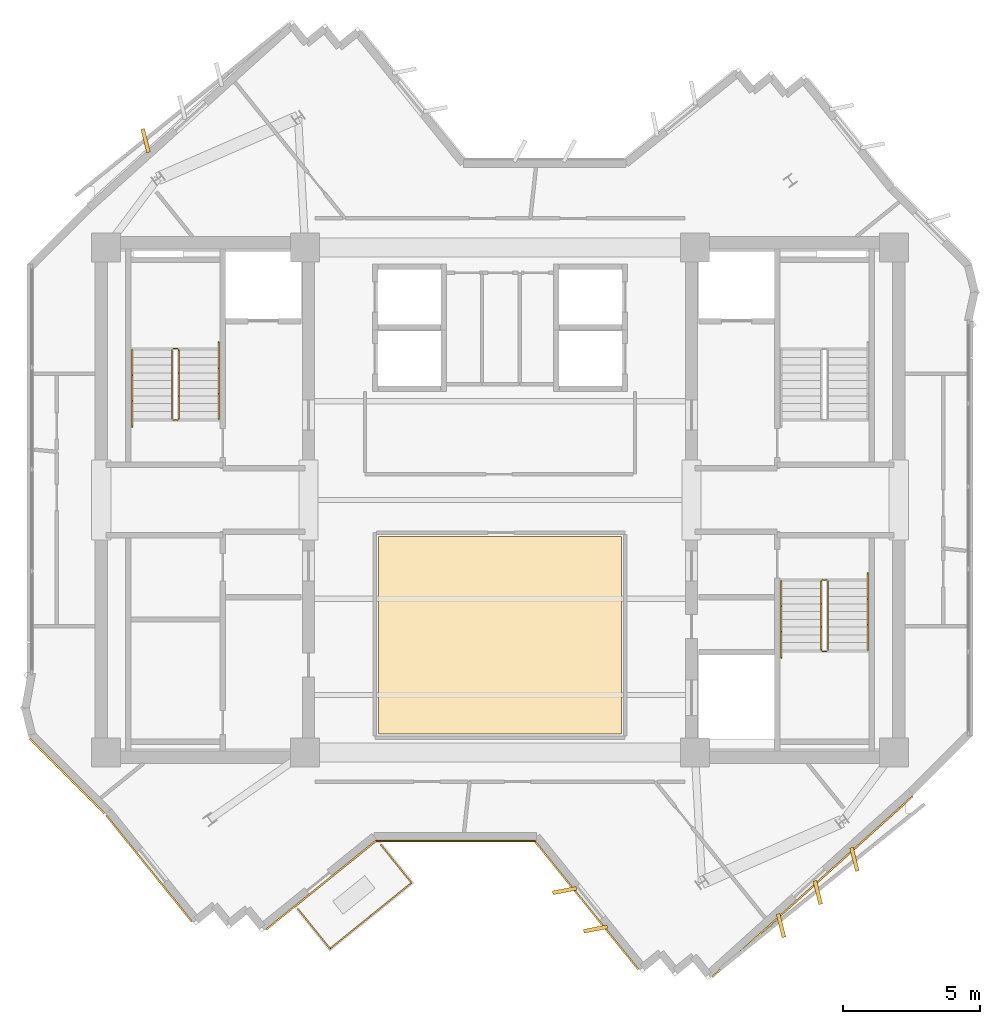
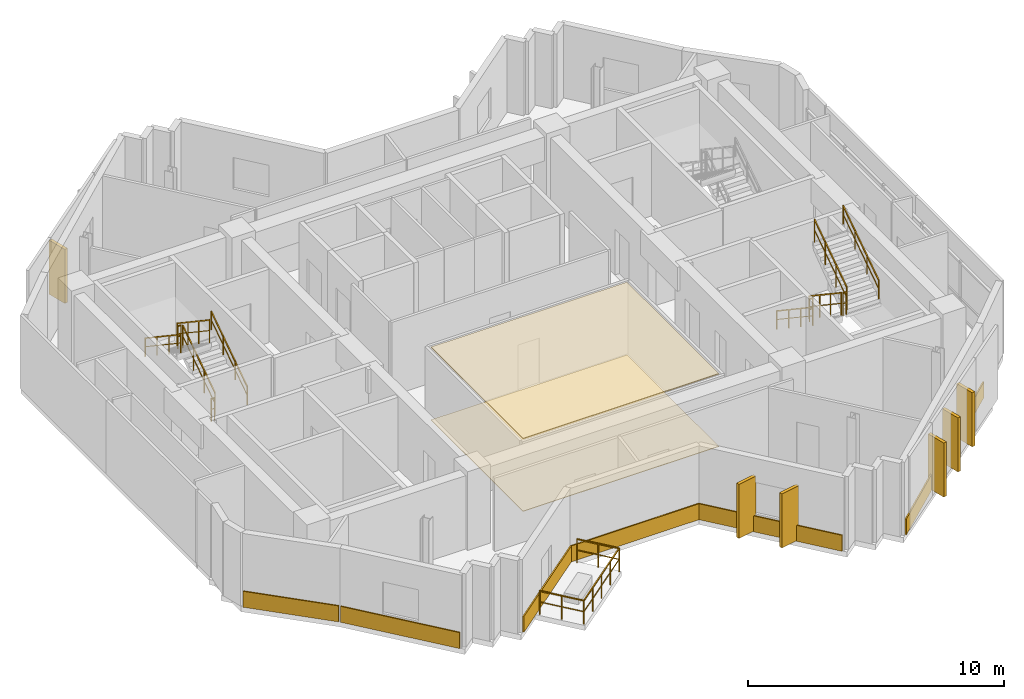
# One storey, part 10 of 11: 15 railings, 14 coverings.
"""IFC4 building model written with IfcOpenShell, lengths in metres."""

from ifc_helpers import new_model, si_unit, direction, frame, origin, origin_2d, place, context, subcontext, project, spatial, polyline, rectangle, outline, extrude, source, transform, mapped, material, layer, layer_set, type_object, element, save


model = new_model("IFC4")

# Units and contexts
model_context = context("Model", 3, precision=1e-05, world=origin(), true_north=direction((0.0, 1.0)))
body_context = subcontext(model_context, "Body", "Model", "MODEL_VIEW")
ifc_project = project(units=[si_unit("LENGTHUNIT", "METRE"), si_unit("AREAUNIT", "SQUARE_METRE"), si_unit("VOLUMEUNIT", "CUBIC_METRE"), si_unit("PLANEANGLEUNIT", "RADIAN"), si_unit("MASSUNIT", "GRAM", prefix="KILO")], contexts=[model_context])

# Site, building, storey
site_placement = place(None, origin())
site = spatial("IfcSite", under=ifc_project, at=site_placement, CompositionType="ELEMENT")
building_placement = place(site_placement, origin())
building = spatial("IfcBuilding", under=site, at=building_placement, Name="Zahravan Cultural Tower", CompositionType="ELEMENT")
storey_placement = place(building_placement, frame((0.0, 0.0, 287.85009765625)))
storey = spatial("IfcBuildingStorey", under=building, at=storey_placement, Name="L69", CompositionType="ELEMENT", Elevation=287.85009765625)

# Coverings
ifc_material_1 = material(Name="Acoustic mineral fibreboard")
ifc_layer_1 = layer(ifc_material_1, 0.0400390625)
ifc_layer_set_1 = layer_set([ifc_layer_1], Name="Acoustic mineral fibreboard")
covering_type_1 = type_object("IfcCoveringType", Name="COV-CEIL-AC20", PredefinedType="CEILING", material=ifc_layer_set_1)
covering_1_placement = place(storey_placement, frame((0.0, 0.0, 3.4599609375)))
element("IfcCovering", 1, at=covering_1_placement, inside=storey, type_object=covering_type_1, Name="L69 Acoustic Suspended Ceiling", PredefinedType="CEILING", context=body_context, shape_type="SweptSolid", body=[
    extrude(outline(polyline([(40.419921875, 25.669921875), (31.580078125, 25.669921875), (31.580078125, 18.47998046875), (40.419921875, 18.47998046875), (40.419921875, 25.669921875)])), origin(), (0.0, 0.0, 1.0), 0.0400390625),
])
ifc_material_2 = material(Name="Terrazzo flooring")
ifc_layer_2 = layer(ifc_material_2, 0.02490234375)
ifc_layer_set_2 = layer_set([ifc_layer_2], Name="Terrazzo flooring")
covering_type_2 = type_object("IfcCoveringType", Name="COV-FLR-TZ25", PredefinedType="FLOORING", material=ifc_layer_set_2)
covering_2_placement = place(storey_placement, origin())
element("IfcCovering", 2, at=covering_2_placement, inside=storey, type_object=covering_type_2, Name="L69 Polished Terrazzo Flooring", PredefinedType="FLOORING", context=body_context, shape_type="SweptSolid", body=[
    extrude(outline(polyline([(40.419921875, 25.669921875), (31.580078125, 25.669921875), (31.580078125, 18.47998046875), (40.419921875, 18.47998046875), (40.419921875, 25.669921875)])), origin(), (0.0, 0.0, 1.0), 0.02490234375),
])

# Railings
ifc_material_3 = material(Name="Steel ASTM A572 Grade 50", Category="steel")
railing_type_1 = type_object("IfcRailingType", Name="RL-BAL-1150", PredefinedType="BALUSTRADE", material=ifc_material_3)
railing_1_placement = place(storey_placement, frame((32.7783203125, 13.050048828125, 0.0)))
element("IfcRailing", 3, at=railing_1_placement, inside=storey, type_object=railing_type_1, Name="L69 Edge Balustrade GRD-TR-L69-SW-01", PredefinedType="BALUSTRADE", context=body_context, shape_type="SweptSolid", body=[
    extrude(rectangle(XDim=0.05, YDim=0.05, at=origin_2d()), frame((0.0, 0.0, 1.125), z_axis=(-0.778086541309, -0.628157093595, 0.0), x_axis=(0.628157093595, -0.778086541309, 0.0)), (0.0, 0.0, 1.0), 3.820068359375),
    extrude(rectangle(XDim=0.032, YDim=0.032, at=origin_2d()), frame((0.0, 0.0, 0.597900390625), z_axis=(-0.778086541309, -0.628157093595, 0.0), x_axis=(0.628157093595, -0.778086541309, 0.0)), (0.0, 0.0, 1.0), 3.820068359375),
    extrude(rectangle(XDim=0.04, YDim=0.04, at=origin_2d()), origin(), (0.0, 0.0, 1.0), 1.14990234375),
    extrude(rectangle(XDim=0.04, YDim=0.04, at=origin_2d()), frame((-0.7431640625, -0.599853515625, 0.0)), (0.0, 0.0, 1.0), 1.14990234375),
    extrude(rectangle(XDim=0.04, YDim=0.04, at=origin_2d()), frame((-1.486328125, -1.19970703125, 0.0)), (0.0, 0.0, 1.0), 1.14990234375),
    extrude(rectangle(XDim=0.04, YDim=0.04, at=origin_2d()), frame((-2.229248046875, -1.7998046875, 0.0)), (0.0, 0.0, 1.0), 1.14990234375),
    extrude(rectangle(XDim=0.04, YDim=0.04, at=origin_2d()), frame((-2.972412109375, -2.399658203125, 0.0)), (0.0, 0.0, 1.0), 1.14990234375),
])
railing_2_placement = place(storey_placement, frame((29.805908203125, 10.650390625, 0.0)))
element("IfcRailing", 4, at=railing_2_placement, inside=storey, type_object=railing_type_1, Name="L69 Edge Balustrade GRD-TR-L69-SW-02", PredefinedType="BALUSTRADE", context=body_context, shape_type="SweptSolid", body=[
    extrude(rectangle(XDim=0.05, YDim=0.05, at=origin_2d()), frame((0.0, 0.0, 1.125), z_axis=(-0.628229578513, 0.778028017928, 0.0), x_axis=(-0.778028017928, -0.628229578513, 0.0)), (0.0, 0.0, 1.0), 1.849853515625),
    extrude(rectangle(XDim=0.032, YDim=0.032, at=origin_2d()), frame((0.0, 0.0, 0.597900390625), z_axis=(-0.628229578513, 0.778028017928, 0.0), x_axis=(-0.778028017928, -0.628229578513, 0.0)), (0.0, 0.0, 1.0), 1.849853515625),
    extrude(rectangle(XDim=0.04, YDim=0.04, at=origin_2d()), origin(), (0.0, 0.0, 1.0), 1.14990234375),
    extrude(rectangle(XDim=0.04, YDim=0.04, at=origin_2d()), frame((-0.5810546875, 0.7197265625, 0.0)), (0.0, 0.0, 1.0), 1.14990234375),
    extrude(rectangle(XDim=0.04, YDim=0.04, at=origin_2d()), frame((-1.162109375, 1.439208984375, 0.0)), (0.0, 0.0, 1.0), 1.14990234375),
])
railing_3_placement = place(storey_placement, frame((31.672119140625, 14.419921875, 0.0)))
element("IfcRailing", 5, at=railing_3_placement, inside=storey, type_object=railing_type_1, Name="L69 Edge Balustrade GRD-TR-L69-SW-03", PredefinedType="BALUSTRADE", context=body_context, shape_type="SweptSolid", body=[
    extrude(rectangle(XDim=0.05, YDim=0.05, at=origin_2d()), frame((0.0, 0.0, 1.125), z_axis=(0.628256416803, -0.778006346211, 0.0), x_axis=(0.778006346211, 0.628256416803, 0.0)), (0.0, 0.0, 1.0), 1.7607421875),
    extrude(rectangle(XDim=0.032, YDim=0.032, at=origin_2d()), frame((0.0, 0.0, 0.597900390625), z_axis=(0.628256416803, -0.778006346211, 0.0), x_axis=(0.778006346211, 0.628256416803, 0.0)), (0.0, 0.0, 1.0), 1.7607421875),
    extrude(rectangle(XDim=0.04, YDim=0.04, at=origin_2d()), origin(), (0.0, 0.0, 1.0), 1.14990234375),
    extrude(rectangle(XDim=0.04, YDim=0.04, at=origin_2d()), frame((0.55322265625, -0.68505859375, 0.0)), (0.0, 0.0, 1.0), 1.14990234375),
    extrude(rectangle(XDim=0.04, YDim=0.04, at=origin_2d()), frame((1.106201171875, -1.369873046875, 0.0)), (0.0, 0.0, 1.0), 1.14990234375),
])
railing_type_2 = type_object("IfcRailingType", Name="RL-STAIR-GRD1150", PredefinedType="BALUSTRADE", material=ifc_material_3)
railing_4_placement = place(storey_placement, frame((24.300048828125, 29.949951171875, 0.1875)))
element("IfcRailing", 6, at=railing_4_placement, inside=storey, type_object=railing_type_2, Name="L69 ST-W1 stair guard 1", PredefinedType="BALUSTRADE", context=body_context, shape_type="SweptSolid", body=[
    extrude(rectangle(XDim=0.05, YDim=0.05, at=origin_2d()), frame((0.0, 0.0, 1.0751953125), z_axis=(0.0, 0.830909170722, 0.55640807867), x_axis=(-1.0, 0.0, 0.0)), (0.0, 0.0, 1.0), 3.032958984375),
    extrude(rectangle(XDim=0.032, YDim=0.032, at=origin_2d()), frame((0.0, 0.0, 0.572021484375), z_axis=(0.0, 0.830909170722, 0.55640807867), x_axis=(-1.0, 0.0, 0.0)), (0.0, 0.0, 1.0), 3.032958984375),
    extrude(rectangle(XDim=0.04, YDim=0.04, at=origin_2d()), origin(), (0.0, 0.0, 1.0), 1.10009765625),
    extrude(rectangle(XDim=0.04, YDim=0.04, at=origin_2d()), frame((0.0, 0.840087890625, 0.5625)), (0.0, 0.0, 1.0), 1.10009765625),
    extrude(rectangle(XDim=0.04, YDim=0.04, at=origin_2d()), frame((0.0, 1.679931640625, 1.125)), (0.0, 0.0, 1.0), 1.10009765625),
    extrude(rectangle(XDim=0.04, YDim=0.04, at=origin_2d()), frame((0.0, 2.52001953125, 1.6875)), (0.0, 0.0, 1.0), 1.10009765625),
])
railing_5_placement = place(storey_placement, frame((24.25, 32.52001953125, 1.875)))
element("IfcRailing", 7, at=railing_5_placement, inside=storey, type_object=railing_type_2, Name="L69 ST-W1 stair guard 2", PredefinedType="BALUSTRADE", context=body_context, shape_type="SweptSolid", body=[
    extrude(rectangle(XDim=0.05, YDim=0.05, at=origin_2d()), frame((0.0, 0.0, 1.0751953125), z_axis=(-1.0, 0.0, 0.0), x_axis=(0.0, -1.0, 0.0)), (0.0, 0.0, 1.0), 0.14990234375),
    extrude(rectangle(XDim=0.032, YDim=0.032, at=origin_2d()), frame((0.0, 0.0, 0.572021484375), z_axis=(-1.0, 0.0, 0.0), x_axis=(0.0, -1.0, 0.0)), (0.0, 0.0, 1.0), 0.14990234375),
    extrude(rectangle(XDim=0.04, YDim=0.04, at=origin_2d()), origin(), (0.0, 0.0, 1.0), 1.10009765625),
    extrude(rectangle(XDim=0.04, YDim=0.04, at=origin_2d()), frame((-0.14990234375, 0.0, 0.0)), (0.0, 0.0, 1.0), 1.10009765625),
])
railing_6_placement = place(storey_placement, frame((24.050048828125, 32.469970703125, 2.0625)))
element("IfcRailing", 8, at=railing_6_placement, inside=storey, type_object=railing_type_2, Name="L69 ST-W1 stair guard 3", PredefinedType="BALUSTRADE", context=body_context, shape_type="SweptSolid", body=[
    extrude(rectangle(XDim=0.05, YDim=0.05, at=origin_2d()), frame((0.0, 0.0, 1.0751953125), z_axis=(0.0, -0.830909170722, 0.55640807867), x_axis=(1.0, 0.0, 0.0)), (0.0, 0.0, 1.0), 3.032958984375),
    extrude(rectangle(XDim=0.032, YDim=0.032, at=origin_2d()), frame((0.0, 0.0, 0.572021484375), z_axis=(0.0, -0.830909170722, 0.55640807867), x_axis=(1.0, 0.0, 0.0)), (0.0, 0.0, 1.0), 3.032958984375),
    extrude(rectangle(XDim=0.04, YDim=0.04, at=origin_2d()), origin(), (0.0, 0.0, 1.0), 1.10009765625),
    extrude(rectangle(XDim=0.04, YDim=0.04, at=origin_2d()), frame((0.0, -0.840087890625, 0.5625)), (0.0, 0.0, 1.0), 1.10009765625),
    extrude(rectangle(XDim=0.04, YDim=0.04, at=origin_2d()), frame((0.0, -1.679931640625, 1.125)), (0.0, 0.0, 1.0), 1.10009765625),
    extrude(rectangle(XDim=0.04, YDim=0.04, at=origin_2d()), frame((0.0, -2.52001953125, 1.6875)), (0.0, 0.0, 1.0), 1.10009765625),
])
railing_7_placement = place(storey_placement, frame((24.25, 29.89990234375, 0.0)))
element("IfcRailing", 9, at=railing_7_placement, inside=storey, type_object=railing_type_2, Name="L69 ST-W1 stair guard 4", PredefinedType="BALUSTRADE", context=body_context, shape_type="SweptSolid", body=[
    extrude(rectangle(XDim=0.05, YDim=0.05, at=origin_2d()), frame((0.0, 0.0, 1.0751953125), z_axis=(-1.0, 0.0, 0.0), x_axis=(0.0, -1.0, 0.0)), (0.0, 0.0, 1.0), 0.14990234375),
    extrude(rectangle(XDim=0.032, YDim=0.032, at=origin_2d()), frame((0.0, 0.0, 0.572021484375), z_axis=(-1.0, 0.0, 0.0), x_axis=(0.0, -1.0, 0.0)), (0.0, 0.0, 1.0), 0.14990234375),
    extrude(rectangle(XDim=0.04, YDim=0.04, at=origin_2d()), origin(), (0.0, 0.0, 1.0), 1.10009765625),
    extrude(rectangle(XDim=0.04, YDim=0.04, at=origin_2d()), frame((-0.14990234375, 0.0, 0.0)), (0.0, 0.0, 1.0), 1.10009765625),
])
railing_8_placement = place(storey_placement, frame((47.699951171875, 24.050048828125, 0.1875)))
element("IfcRailing", 10, at=railing_8_placement, inside=storey, type_object=railing_type_2, Name="L69 ST-E2 stair guard 1", PredefinedType="BALUSTRADE", context=body_context, shape_type="SweptSolid", body=[
    extrude(rectangle(XDim=0.05, YDim=0.05, at=origin_2d()), frame((0.0, 0.0, 1.0751953125), z_axis=(0.0, -0.830909170722, 0.55640807867), x_axis=(1.0, 0.0, 0.0)), (0.0, 0.0, 1.0), 3.032958984375),
    extrude(rectangle(XDim=0.032, YDim=0.032, at=origin_2d()), frame((0.0, 0.0, 0.572021484375), z_axis=(0.0, -0.830909170722, 0.55640807867), x_axis=(1.0, 0.0, 0.0)), (0.0, 0.0, 1.0), 3.032958984375),
    extrude(rectangle(XDim=0.04, YDim=0.04, at=origin_2d()), origin(), (0.0, 0.0, 1.0), 1.10009765625),
    extrude(rectangle(XDim=0.04, YDim=0.04, at=origin_2d()), frame((0.0, -0.840087890625, 0.5625)), (0.0, 0.0, 1.0), 1.10009765625),
    extrude(rectangle(XDim=0.04, YDim=0.04, at=origin_2d()), frame((0.0, -1.679931640625, 1.125)), (0.0, 0.0, 1.0), 1.10009765625),
    extrude(rectangle(XDim=0.04, YDim=0.04, at=origin_2d()), frame((0.0, -2.52001953125, 1.6875)), (0.0, 0.0, 1.0), 1.10009765625),
])
railing_9_placement = place(storey_placement, frame((47.75, 21.47998046875, 1.875)))
element("IfcRailing", 11, at=railing_9_placement, inside=storey, type_object=railing_type_2, Name="L69 ST-E2 stair guard 2", PredefinedType="BALUSTRADE", context=body_context, shape_type="SweptSolid", body=[
    extrude(rectangle(XDim=0.05, YDim=0.05, at=origin_2d()), frame((0.0, 0.0, 1.0751953125), z_axis=(1.0, 0.0, 0.0), x_axis=(0.0, 1.0, 0.0)), (0.0, 0.0, 1.0), 0.14990234375),
    extrude(rectangle(XDim=0.032, YDim=0.032, at=origin_2d()), frame((0.0, 0.0, 0.572021484375), z_axis=(1.0, 0.0, 0.0), x_axis=(0.0, 1.0, 0.0)), (0.0, 0.0, 1.0), 0.14990234375),
    extrude(rectangle(XDim=0.04, YDim=0.04, at=origin_2d()), origin(), (0.0, 0.0, 1.0), 1.10009765625),
    extrude(rectangle(XDim=0.04, YDim=0.04, at=origin_2d()), frame((0.14990234375, 0.0, 0.0)), (0.0, 0.0, 1.0), 1.10009765625),
])
railing_10_placement = place(storey_placement, frame((47.949951171875, 21.530029296875, 2.0625)))
element("IfcRailing", 12, at=railing_10_placement, inside=storey, type_object=railing_type_2, Name="L69 ST-E2 stair guard 3", PredefinedType="BALUSTRADE", context=body_context, shape_type="SweptSolid", body=[
    extrude(rectangle(XDim=0.05, YDim=0.05, at=origin_2d()), frame((0.0, 0.0, 1.0751953125), z_axis=(0.0, 0.830909170722, 0.55640807867), x_axis=(-1.0, 0.0, 0.0)), (0.0, 0.0, 1.0), 3.032958984375),
    extrude(rectangle(XDim=0.032, YDim=0.032, at=origin_2d()), frame((0.0, 0.0, 0.572021484375), z_axis=(0.0, 0.830909170722, 0.55640807867), x_axis=(-1.0, 0.0, 0.0)), (0.0, 0.0, 1.0), 3.032958984375),
    extrude(rectangle(XDim=0.04, YDim=0.04, at=origin_2d()), origin(), (0.0, 0.0, 1.0), 1.10009765625),
    extrude(rectangle(XDim=0.04, YDim=0.04, at=origin_2d()), frame((0.0, 0.840087890625, 0.5625)), (0.0, 0.0, 1.0), 1.10009765625),
    extrude(rectangle(XDim=0.04, YDim=0.04, at=origin_2d()), frame((0.0, 1.679931640625, 1.125)), (0.0, 0.0, 1.0), 1.10009765625),
    extrude(rectangle(XDim=0.04, YDim=0.04, at=origin_2d()), frame((0.0, 2.52001953125, 1.6875)), (0.0, 0.0, 1.0), 1.10009765625),
])
railing_11_placement = place(storey_placement, frame((47.75, 24.10009765625, 0.0)))
element("IfcRailing", 13, at=railing_11_placement, inside=storey, type_object=railing_type_2, Name="L69 ST-E2 stair guard 4", PredefinedType="BALUSTRADE", context=body_context, shape_type="SweptSolid", body=[
    extrude(rectangle(XDim=0.05, YDim=0.05, at=origin_2d()), frame((0.0, 0.0, 1.0751953125), z_axis=(1.0, 0.0, 0.0), x_axis=(0.0, 1.0, 0.0)), (0.0, 0.0, 1.0), 0.14990234375),
    extrude(rectangle(XDim=0.032, YDim=0.032, at=origin_2d()), frame((0.0, 0.0, 0.572021484375), z_axis=(1.0, 0.0, 0.0), x_axis=(0.0, 1.0, 0.0)), (0.0, 0.0, 1.0), 0.14990234375),
    extrude(rectangle(XDim=0.04, YDim=0.04, at=origin_2d()), origin(), (0.0, 0.0, 1.0), 1.10009765625),
    extrude(rectangle(XDim=0.04, YDim=0.04, at=origin_2d()), frame((0.14990234375, 0.0, 0.0)), (0.0, 0.0, 1.0), 1.10009765625),
])
railing_type_3 = type_object("IfcRailingType", Name="RL-STAIR-HR900", PredefinedType="HANDRAIL", material=ifc_material_3)
railing_12_placement = place(storey_placement, frame((25.75, 29.949951171875, 0.1875)))
element("IfcRailing", 14, at=railing_12_placement, inside=storey, type_object=railing_type_3, Name="L69 ST-W1 stair handrail 1", PredefinedType="HANDRAIL", context=body_context, shape_type="SweptSolid", body=[
    extrude(rectangle(XDim=0.05, YDim=0.05, at=origin_2d()), frame((0.0, 0.0, 0.875), z_axis=(0.0, 0.830911662861, 0.55640435703), x_axis=(-1.0, 0.0, 0.0)), (0.0, 0.0, 1.0), 3.369873046875),
    extrude(rectangle(XDim=0.032, YDim=0.032, at=origin_2d()), frame((0.0, 0.0, 0.468017578125), z_axis=(0.0, 0.830911662861, 0.55640435703), x_axis=(-1.0, 0.0, 0.0)), (0.0, 0.0, 1.0), 3.369873046875),
    extrude(rectangle(XDim=0.04, YDim=0.04, at=origin_2d()), origin(), (0.0, 0.0, 1.0), 0.89990234375),
    extrude(rectangle(XDim=0.04, YDim=0.04, at=origin_2d()), frame((0.0, 0.933349609375, 0.625)), (0.0, 0.0, 1.0), 0.89990234375),
    extrude(rectangle(XDim=0.04, YDim=0.04, at=origin_2d()), frame((0.0, 1.86669921875, 1.25)), (0.0, 0.0, 1.0), 0.89990234375),
    extrude(rectangle(XDim=0.04, YDim=0.04, at=origin_2d()), frame((0.0, 2.800048828125, 1.875)), (0.0, 0.0, 1.0), 0.89990234375),
])
for number, where, name in (
    (15, (22.60009765625, 32.469970703125, 2.0625), "L69 ST-W1 stair handrail 2"),
    (16, (46.25, 24.050048828125, 0.1875), "L69 ST-E2 stair handrail 1"),
):
    element("IfcRailing", number, at=place(storey_placement, frame(where)), inside=storey, type_object=railing_type_3, Name=name, PredefinedType="HANDRAIL", context=body_context, shape_type="SweptSolid", body=[
        extrude(rectangle(XDim=0.05, YDim=0.05, at=origin_2d()), frame((0.0, 0.0, 0.875), z_axis=(0.0, -0.830911662861, 0.55640435703), x_axis=(1.0, 0.0, 0.0)), (0.0, 0.0, 1.0), 3.369873046875),
        extrude(rectangle(XDim=0.032, YDim=0.032, at=origin_2d()), frame((0.0, 0.0, 0.468017578125), z_axis=(0.0, -0.830911662861, 0.55640435703), x_axis=(1.0, 0.0, 0.0)), (0.0, 0.0, 1.0), 3.369873046875),
        extrude(rectangle(XDim=0.04, YDim=0.04, at=origin_2d()), origin(), (0.0, 0.0, 1.0), 0.89990234375),
        extrude(rectangle(XDim=0.04, YDim=0.04, at=origin_2d()), frame((0.0, -0.933349609375, 0.625)), (0.0, 0.0, 1.0), 0.89990234375),
        extrude(rectangle(XDim=0.04, YDim=0.04, at=origin_2d()), frame((0.0, -1.86669921875, 1.25)), (0.0, 0.0, 1.0), 0.89990234375),
        extrude(rectangle(XDim=0.04, YDim=0.04, at=origin_2d()), frame((0.0, -2.800048828125, 1.875)), (0.0, 0.0, 1.0), 0.89990234375),
    ])
railing_13_placement = place(storey_placement, frame((49.39990234375, 21.530029296875, 2.0625)))
element("IfcRailing", 17, at=railing_13_placement, inside=storey, type_object=railing_type_3, Name="L69 ST-E2 stair handrail 2", PredefinedType="HANDRAIL", context=body_context, shape_type="SweptSolid", body=[
    extrude(rectangle(XDim=0.05, YDim=0.05, at=origin_2d()), frame((0.0, 0.0, 0.875), z_axis=(0.0, 0.830911662861, 0.55640435703), x_axis=(-1.0, 0.0, 0.0)), (0.0, 0.0, 1.0), 3.369873046875),
    extrude(rectangle(XDim=0.032, YDim=0.032, at=origin_2d()), frame((0.0, 0.0, 0.468017578125), z_axis=(0.0, 0.830911662861, 0.55640435703), x_axis=(-1.0, 0.0, 0.0)), (0.0, 0.0, 1.0), 3.369873046875),
    extrude(rectangle(XDim=0.04, YDim=0.04, at=origin_2d()), origin(), (0.0, 0.0, 1.0), 0.89990234375),
    extrude(rectangle(XDim=0.04, YDim=0.04, at=origin_2d()), frame((0.0, 0.933349609375, 0.625)), (0.0, 0.0, 1.0), 0.89990234375),
    extrude(rectangle(XDim=0.04, YDim=0.04, at=origin_2d()), frame((0.0, 1.86669921875, 1.25)), (0.0, 0.0, 1.0), 0.89990234375),
    extrude(rectangle(XDim=0.04, YDim=0.04, at=origin_2d()), frame((0.0, 2.800048828125, 1.875)), (0.0, 0.0, 1.0), 0.89990234375),
])

# Coverings
ifc_material_4 = material(Name="Terracotta ceramic cladding", Category="masonry")
ifc_layer_3 = layer(ifc_material_4, 0.06005859375)
ifc_layer_set_3 = layer_set([ifc_layer_3], Name="Terracotta ceramic cladding")
covering_type_3 = type_object("IfcCoveringType", Name="COV-CLAD-TC60", PredefinedType="CLADDING", material=ifc_layer_set_3)
shared_shape_1 = source(origin(), body_context, "Body", "SweptSolid", [
    extrude(rectangle(XDim=0.8798828125, YDim=0.139892578125, at=origin_2d()), origin(), (0.0, 0.0, 1.0), 2.580078125),
])
for number, where, z_axis, x_axis, name in (
    (18, (23.0869140625, 40.09375, 0.0498046875), (0.0, 0.0, 1.0), (-0.242751614931, 0.970088477124, 0.0), "L69 Herringbone Terracotta Fin 01"),
    (19, (48.9130859375, 13.90625, 0.0498046875), (0.0, 0.0, 1.0), (0.242751614931, -0.970088477124, 0.0), "L69 Herringbone Terracotta Fin 13"),
    (20, (47.57666015625, 12.70068359375, 0.0498046875), (0.0, 0.0, 1.0), (0.242751614931, -0.970088477124, 0.0), "L69 Herringbone Terracotta Fin 14"),
    (21, (46.239990234375, 11.4951171875, 0.0498046875), (0.0, 0.0, 1.0), (0.242751614931, -0.970088477124, 0.0), "L69 Herringbone Terracotta Fin 15"),
    (22, (39.482421875, 11.368408203125, 0.0498046875), (0.0, 0.0, 1.0), (-0.981902563727, -0.189386787677, 0.0), "L69 Herringbone Terracotta Fin 16"),
    (23, (38.351806640625, 12.768798828125, 0.0498046875), (0.0, 0.0, 1.0), (-0.981902563727, -0.189386787677, 0.0), "L69 Herringbone Terracotta Fin 17"),
):
    element("IfcCovering", number, at=place(storey_placement, frame(where, z_axis=z_axis, x_axis=x_axis)), inside=storey, type_object=covering_type_3, Name=name, PredefinedType="CLADDING", context=body_context, shape_type="MappedRepresentation", body=[
        mapped(shared_shape_1, transform((0.0, 0.0, 0.0), x_axis=(1.0, 0.0, 0.0), y_axis=(0.0, 1.0, 0.0), z_axis=(0.0, 0.0, 1.0), scale=1.0)),
    ])
shared_shape_2 = source(origin(), body_context, "Body", "SweptSolid", [
    extrude(rectangle(XDim=9.8349609375, YDim=0.06005859375, at=origin_2d()), origin(), (0.0, 0.0, 1.0), 0.760009765625),
])
covering_3_placement = place(storey_placement, frame((47.3857421875, 12.912353515625, 0.02001953125), z_axis=(0.0, 0.0, 1.0), x_axis=(-0.742572305706, -0.669765907462, 0.0)))
element("IfcCovering", 24, at=covering_3_placement, inside=storey, type_object=covering_type_3, Name="L69 Terracotta Spandrel Cladding 19", PredefinedType="CLADDING", context=body_context, shape_type="MappedRepresentation", body=[
    mapped(shared_shape_2, transform((0.0, 0.0, 0.0), x_axis=(1.0, 0.0, 0.0), y_axis=(0.0, 1.0, 0.0), z_axis=(0.0, 0.0, 1.0), scale=1.0)),
])
shared_shape_3 = source(origin(), body_context, "Body", "SweptSolid", [
    extrude(rectangle(XDim=6.0400390625, YDim=0.06005859375, at=origin_2d()), origin(), (0.0, 0.0, 1.0), 0.760009765625),
])
covering_4_placement = place(storey_placement, frame((39.138916015625, 12.247802734375, 0.02001953125), z_axis=(0.0, 0.0, 1.0), x_axis=(-0.628193939395, 0.778056793883, 0.0)))
element("IfcCovering", 25, at=covering_4_placement, inside=storey, type_object=covering_type_3, Name="L69 Terracotta Spandrel Cladding 24", PredefinedType="CLADDING", context=body_context, shape_type="MappedRepresentation", body=[
    mapped(shared_shape_3, transform((0.0, 0.0, 0.0), x_axis=(1.0, 0.0, 0.0), y_axis=(0.0, 1.0, 0.0), z_axis=(0.0, 0.0, 1.0), scale=1.0)),
])
shared_shape_4 = source(origin(), body_context, "Body", "SweptSolid", [
    extrude(rectangle(XDim=5.82177734375, YDim=0.06005859375, at=origin_2d()), origin(), (0.0, 0.0, 1.0), 0.760009765625),
])
covering_5_placement = place(storey_placement, frame((34.3779296875, 14.574951171875, 0.02001953125), z_axis=(0.0, 0.0, 1.0), x_axis=(-1.0, 0.0, 0.0)))
element("IfcCovering", 26, at=covering_5_placement, inside=storey, type_object=covering_type_3, Name="L69 Terracotta Spandrel Cladding 25", PredefinedType="CLADDING", context=body_context, shape_type="MappedRepresentation", body=[
    mapped(shared_shape_4, transform((0.0, 0.0, 0.0), x_axis=(1.0, 0.0, 0.0), y_axis=(0.0, 1.0, 0.0), z_axis=(0.0, 0.0, 1.0), scale=1.0)),
])
shared_shape_5 = source(origin(), body_context, "Body", "SweptSolid", [
    extrude(rectangle(XDim=5.152587890625, YDim=0.06005859375, at=origin_2d()), origin(), (0.0, 0.0, 1.0), 0.760009765625),
])
covering_6_placement = place(storey_placement, frame((29.477294921875, 12.9619140625, 0.02001953125), z_axis=(0.0, 0.0, 1.0), x_axis=(-0.778056793883, -0.628193939395, 0.0)))
element("IfcCovering", 27, at=covering_6_placement, inside=storey, type_object=covering_type_3, Name="L69 Terracotta Spandrel Cladding 26", PredefinedType="CLADDING", context=body_context, shape_type="MappedRepresentation", body=[
    mapped(shared_shape_5, transform((0.0, 0.0, 0.0), x_axis=(1.0, 0.0, 0.0), y_axis=(0.0, 1.0, 0.0), z_axis=(0.0, 0.0, 1.0), scale=1.0)),
])
shared_shape_6 = source(origin(), body_context, "Body", "SweptSolid", [
    extrude(rectangle(XDim=4.992919921875, YDim=0.06005859375, at=origin_2d()), origin(), (0.0, 0.0, 1.0), 0.760009765625),
])
covering_7_placement = place(storey_placement, frame((23.211669921875, 13.57275390625, 0.02001953125), z_axis=(0.0, 0.0, 1.0), x_axis=(-0.628193939395, 0.778056793883, 0.0)))
element("IfcCovering", 28, at=covering_7_placement, inside=storey, type_object=covering_type_3, Name="L69 Terracotta Spandrel Cladding 31", PredefinedType="CLADDING", context=body_context, shape_type="MappedRepresentation", body=[
    mapped(shared_shape_6, transform((0.0, 0.0, 0.0), x_axis=(1.0, 0.0, 0.0), y_axis=(0.0, 1.0, 0.0), z_axis=(0.0, 0.0, 1.0), scale=1.0)),
])
shared_shape_7 = source(origin(), body_context, "Body", "SweptSolid", [
    extrude(rectangle(XDim=3.860107421875, YDim=0.06005859375, at=origin_2d()), origin(), (0.0, 0.0, 1.0), 0.760009765625),
])
covering_8_placement = place(storey_placement, frame((20.223388671875, 16.941162109375, 0.02001953125), z_axis=(0.0, 0.0, 1.0), x_axis=(-0.707106781187, 0.707106781187, 0.0)))
element("IfcCovering", 29, at=covering_8_placement, inside=storey, type_object=covering_type_3, Name="L69 Terracotta Spandrel Cladding 32", PredefinedType="CLADDING", context=body_context, shape_type="MappedRepresentation", body=[
    mapped(shared_shape_7, transform((0.0, 0.0, 0.0), x_axis=(1.0, 0.0, 0.0), y_axis=(0.0, 1.0, 0.0), z_axis=(0.0, 0.0, 1.0), scale=1.0)),
])

save(model, "model.ifc")
